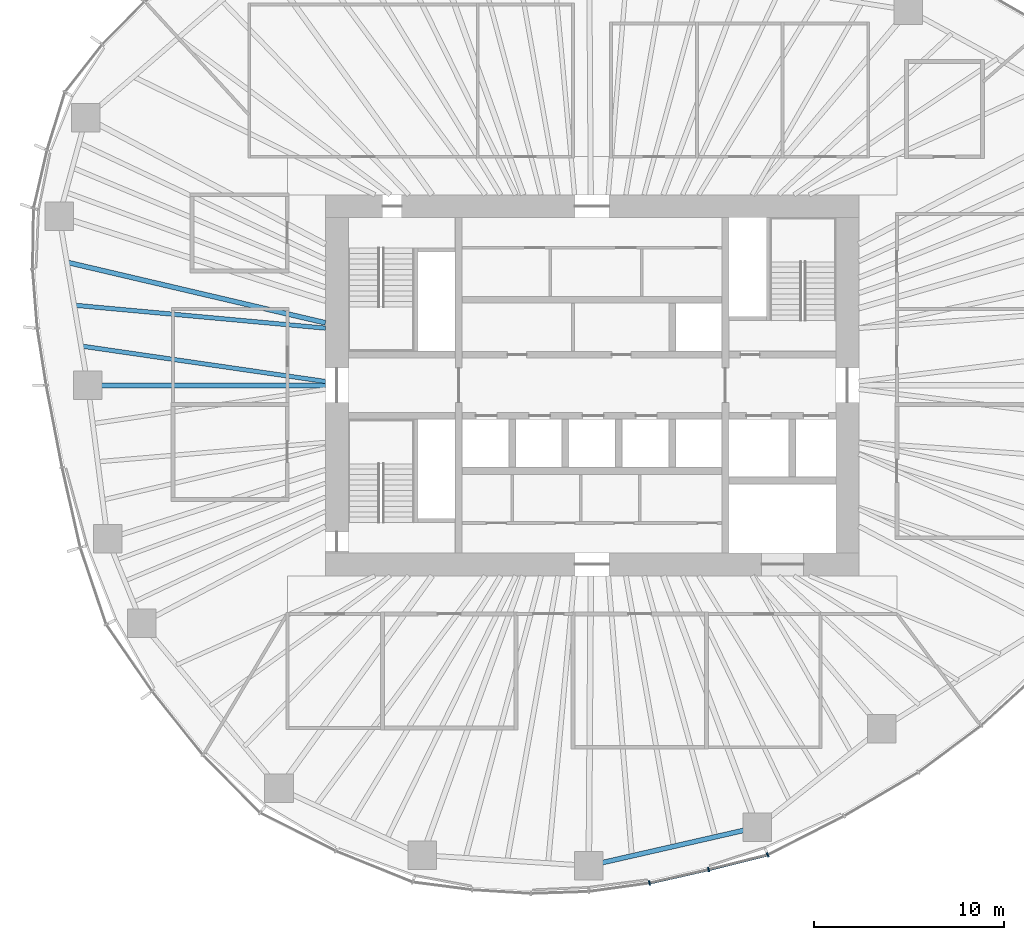
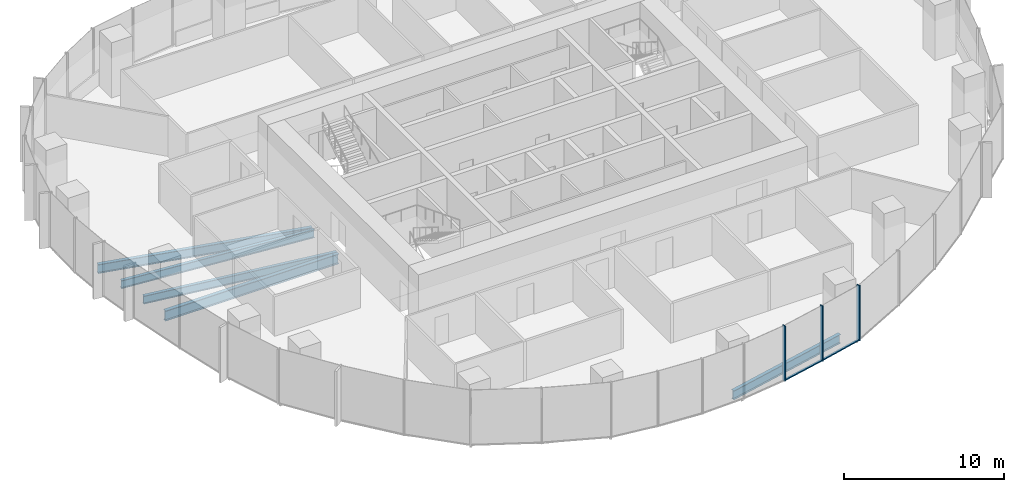
# One storey, part 3 of 18: 5 beams, 5 members, 2 elements without a shape of their own.
"""IFC4 building model written with IfcOpenShell, lengths in metres."""

from ifc_helpers import new_model, si_unit, direction, frame, origin, origin_2d, place, context, subcontext, project, spatial, rectangle, i_section, extrude, material, material_profile, profile_set, type_object, element, aggregate, save


model = new_model("IFC4")

# Units and contexts
model_context = context("Model", 3, precision=1e-05, world=origin(), true_north=direction((0.0, 1.0)))
body_context = subcontext(model_context, "Body", "Model", "MODEL_VIEW")
ifc_project = project(units=[si_unit("LENGTHUNIT", "METRE"), si_unit("AREAUNIT", "SQUARE_METRE"), si_unit("VOLUMEUNIT", "CUBIC_METRE"), si_unit("PLANEANGLEUNIT", "RADIAN"), si_unit("MASSUNIT", "GRAM", prefix="KILO")], contexts=[model_context])

# Site, building, storey
site_placement = place(None, origin())
site = spatial("IfcSite", under=ifc_project, at=site_placement, CompositionType="ELEMENT")
building_placement = place(site_placement, origin())
building = spatial("IfcBuilding", under=site, at=building_placement, Name="Ghaith Harvest Tower", CompositionType="ELEMENT")
storey_placement = place(building_placement, frame((0.0, 0.0, 117.60009765625)))
storey = spatial("IfcBuildingStorey", under=building, at=storey_placement, Name="L24", CompositionType="ELEMENT", Elevation=117.60009765625)

# Curtain wall, members
ifc_material_1 = material(Name="Black anodised aluminium and fritted glass", Category="aluminium")
curtain_wall_type = type_object("IfcCurtainWallType", Name="CW-L CURTAIN WALL", PredefinedType="NOTDEFINED", material=ifc_material_1)
curtain_wall_1_placement = place(storey_placement, origin())
curtain_wall_1 = element("IfcCurtainWall", 1, at=curtain_wall_1_placement, inside=storey, type_object=curtain_wall_type, Name="Curtain wall CW-L bay 16 L24", PredefinedType="NOTDEFINED")
ifc_material_2 = material(Name="Aluminium, black anodised", Category="aluminium")
ifc_material_profile_1 = material_profile(ifc_material_2, rectangle(XDim=0.080078125, YDim=0.239990234375, at=origin_2d()), Name="CW-L MULLION 80x240")
ifc_profile_set_1 = profile_set([ifc_material_profile_1], Name="Aluminium, black anodised")
member_type_1 = type_object("IfcMemberType", Name="CW-L MULLION 80x240", PredefinedType="MULLION", material=ifc_profile_set_1)
member_1_placement = place(storey_placement, frame((3.010009765625, -26.12939453125, 0.0), z_axis=(0.0, 0.0, 1.0), x_axis=(0.983806317978, 0.179234842337, 0.0)))
member_1 = element("IfcMember", 2, at=member_1_placement, type_object=member_type_1, Name="CW-L mullion 2 bay 16 L24", PredefinedType="MULLION", context=body_context, shape_type="SweptSolid", body=[
    extrude(rectangle(XDim=0.080078125, YDim=0.239990234375, at=origin_2d()), origin(), (0.0, 0.0, 1.0), 4.199951171875),
])
member_2_placement = place(storey_placement, frame((6.1201171875, -25.425537109375, 0.0), z_axis=(0.0, 0.0, 1.0), x_axis=(0.972918144681, 0.231149916179, 0.0)))
member_2 = element("IfcMember", 3, at=member_2_placement, type_object=member_type_1, Name="CW-L mullion 3 bay 16 L24", PredefinedType="MULLION", context=body_context, shape_type="SweptSolid", body=[
    extrude(rectangle(XDim=0.080078125, YDim=0.239990234375, at=origin_2d()), origin(), (0.0, 0.0, 1.0), 4.199951171875),
])

# Curtain wall, member
curtain_wall_2_placement = place(storey_placement, origin())
curtain_wall_2 = element("IfcCurtainWall", 4, at=curtain_wall_2_placement, inside=storey, type_object=curtain_wall_type, Name="Curtain wall CW-L bay 17 L24", PredefinedType="NOTDEFINED")
member_3_placement = place(storey_placement, frame((9.216796875, -24.654541015625, 0.0), z_axis=(0.0, 0.0, 1.0), x_axis=(0.929831847154, 0.367984695358, 0.0)))
member_3 = element("IfcMember", 5, at=member_3_placement, type_object=member_type_1, Name="CW-L mullion 1 bay 17 L24", PredefinedType="MULLION", context=body_context, shape_type="SweptSolid", body=[
    extrude(rectangle(XDim=0.080078125, YDim=0.239990234375, at=origin_2d()), origin(), (0.0, 0.0, 1.0), 4.199951171875),
])
aggregate(curtain_wall_2, [member_3])

# Member
ifc_material_3 = material(Name="Aluminium, black anodised", Category="aluminium")
ifc_material_profile_2 = material_profile(ifc_material_3, rectangle(XDim=0.14990234375, YDim=0.080078125, at=origin_2d()), Name="CW-L TRANSOM 150x80")
ifc_profile_set_2 = profile_set([ifc_material_profile_2], Name="Aluminium, black anodised")
member_type_2 = type_object("IfcMemberType", Name="CW-L TRANSOM 150x80", PredefinedType="USERDEFINED", material=ifc_profile_set_2)
member_4_placement = place(storey_placement, frame((3.048828125, -26.120361328125, 0.039794921875), z_axis=(0.975352213651, 0.22065370907, 0.0), x_axis=(-0.22065370907, 0.975352213651, 0.0)))
member_4 = element("IfcMember", 6, at=member_4_placement, type_object=member_type_2, Name="CW-L transom 2 bay 16 L24", ObjectType="TRANSOM", PredefinedType="USERDEFINED", context=body_context, shape_type="SweptSolid", body=[
    extrude(rectangle(XDim=0.14990234375, YDim=0.080078125, at=origin_2d()), origin(), (0.0, 0.0, 1.0), 3.109130859375),
])

member_5_placement = place(storey_placement, frame((6.158935546875, -25.415771484375, 0.039794921875), z_axis=(0.97039125345, 0.241538434265, 0.0), x_axis=(-0.241538434265, 0.97039125345, 0.0)))
member_5 = element("IfcMember", 7, at=member_5_placement, type_object=member_type_2, Name="CW-L transom 3 bay 16 L24", ObjectType="TRANSOM", PredefinedType="USERDEFINED", context=body_context, shape_type="SweptSolid", body=[
    extrude(rectangle(XDim=0.14990234375, YDim=0.080078125, at=origin_2d()), origin(), (0.0, 0.0, 1.0), 3.111083984375),
])

aggregate(curtain_wall_1, [member_1, member_4, member_2, member_5])

# Beams
ifc_material_4 = material(Name="Steel ASTM A992 Grade 50", Category="steel")
ifc_material_profile_3 = material_profile(ifc_material_4, i_section(OverallWidth=0.25390625, OverallDepth=0.68408203125, WebThickness=0.012451171875, FlangeThickness=0.018798828125, at=origin_2d()), Name="W690X140")
ifc_profile_set_3 = profile_set([ifc_material_profile_3], Name="Steel ASTM A992 Grade 50")
beam_type_1 = type_object("IfcBeamType", Name="E690-140 W690X140", PredefinedType="SPANDREL", material=ifc_profile_set_3)
beam_1_placement = place(storey_placement, frame((-0.173095703125, -25.22412109375, -0.51220703125), z_axis=(0.974881709383, 0.22272326486, 0.0), x_axis=(-0.22272326486, 0.974881709383, 0.0)))
element("IfcBeam", 8, at=beam_1_placement, inside=storey, type_object=beam_type_1, Name="Edge beam E16 L24", PredefinedType="SPANDREL", context=body_context, shape_type="SweptSolid", body=[
    extrude(i_section(OverallWidth=0.25390625, OverallDepth=0.68408203125, WebThickness=0.012451171875, FlangeThickness=0.018798828125, at=origin_2d()), origin(), (0.0, 0.0, 1.0), 9.0751953125),
])
ifc_material_5 = material(Name="Steel ASTM A992 Grade 50", Category="steel")
ifc_material_profile_4 = material_profile(ifc_material_5, i_section(OverallWidth=0.26806640625, OverallDepth=0.77001953125, WebThickness=0.015625, FlangeThickness=0.025390625, at=origin_2d()), Name="W760X196")
ifc_profile_set_4 = profile_set([ifc_material_profile_4], Name="Steel ASTM A992 Grade 50")
beam_type_2 = type_object("IfcBeamType", Name="G760-196 W760X196", PredefinedType="BEAM", material=ifc_profile_set_4)
beam_2_placement = place(storey_placement, frame((-14.0, 0.0, -0.55517578125), z_axis=(-1.0, 0.0, 0.0), x_axis=(0.0, -1.0, 0.0)))
element("IfcBeam", 9, at=beam_2_placement, inside=storey, type_object=beam_type_2, Name="Radial girder G11 L24", PredefinedType="BEAM", context=body_context, shape_type="SweptSolid", body=[
    extrude(i_section(OverallWidth=0.26806640625, OverallDepth=0.77001953125, WebThickness=0.015625, FlangeThickness=0.025390625, at=origin_2d()), origin(), (0.0, 0.0, 1.0), 12.47509765625),
])
ifc_material_6 = material(Name="Steel ASTM A992 Grade 50", Category="steel")
ifc_material_profile_5 = material_profile(ifc_material_6, i_section(OverallWidth=0.22900390625, OverallDepth=0.612060546875, WebThickness=0.011962890625, FlangeThickness=0.01953125, at=origin_2d()), Name="W610X125")
ifc_profile_set_5 = profile_set([ifc_material_profile_5], Name="Steel ASTM A992 Grade 50")
beam_type_3 = type_object("IfcBeamType", Name="J610-125 W610X125", PredefinedType="JOIST", material=ifc_profile_set_5)
beam_3_placement = place(storey_placement, frame((-14.0, 3.0, -0.47607421875), z_axis=(-0.995849123151, 0.091019360137, 0.0), x_axis=(-0.091019360137, -0.995849123151, 0.0)))
element("IfcBeam", 10, at=beam_3_placement, inside=storey, type_object=beam_type_3, Name="Joist J10.2 L24", PredefinedType="JOIST", context=body_context, shape_type="SweptSolid", body=[
    extrude(i_section(OverallWidth=0.22900390625, OverallDepth=0.612060546875, WebThickness=0.011962890625, FlangeThickness=0.01953125, at=origin_2d()), origin(), (0.0, 0.0, 1.0), 13.2451171875),
])
beam_4_placement = place(storey_placement, frame((-14.0, 0.199951171875, -0.47607421875), z_axis=(-0.989622120656, 0.143694322465, 0.0), x_axis=(-0.143694322465, -0.989622120656, 0.0)))
element("IfcBeam", 11, at=beam_4_placement, inside=storey, type_object=beam_type_3, Name="Joist J10.3 L24", PredefinedType="JOIST", context=body_context, shape_type="SweptSolid", body=[
    extrude(i_section(OverallWidth=0.22900390625, OverallDepth=0.612060546875, WebThickness=0.011962890625, FlangeThickness=0.01953125, at=origin_2d()), origin(), (0.0, 0.0, 1.0), 12.960205078125),
])
ifc_material_7 = material(Name="Steel ASTM A992 Grade 50", Category="steel")
ifc_material_profile_6 = material_profile(ifc_material_7, i_section(OverallWidth=0.25390625, OverallDepth=0.68408203125, WebThickness=0.012451171875, FlangeThickness=0.018798828125, at=origin_2d()), Name="W690X140")
ifc_profile_set_6 = profile_set([ifc_material_profile_6], Name="Steel ASTM A992 Grade 50")
beam_type_4 = type_object("IfcBeamType", Name="J690-140 W690X140", PredefinedType="JOIST", material=ifc_profile_set_6)
beam_5_placement = place(storey_placement, frame((-14.0, 3.280517578125, -0.51220703125), z_axis=(-0.973623240284, 0.228161753978, 0.0), x_axis=(-0.228161753978, -0.973623240284, 0.0)))
element("IfcBeam", 12, at=beam_5_placement, inside=storey, type_object=beam_type_4, Name="Joist J10.1 L24", PredefinedType="JOIST", context=body_context, shape_type="SweptSolid", body=[
    extrude(i_section(OverallWidth=0.25390625, OverallDepth=0.68408203125, WebThickness=0.012451171875, FlangeThickness=0.018798828125, at=origin_2d()), origin(), (0.0, 0.0, 1.0), 13.94140625),
])

save(model, "model.ifc")
